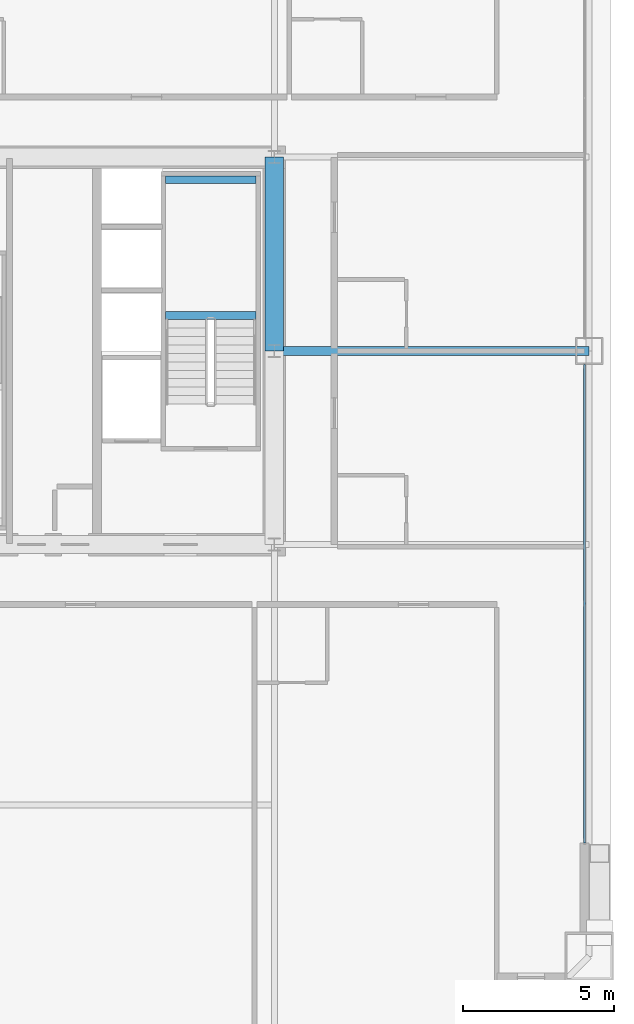
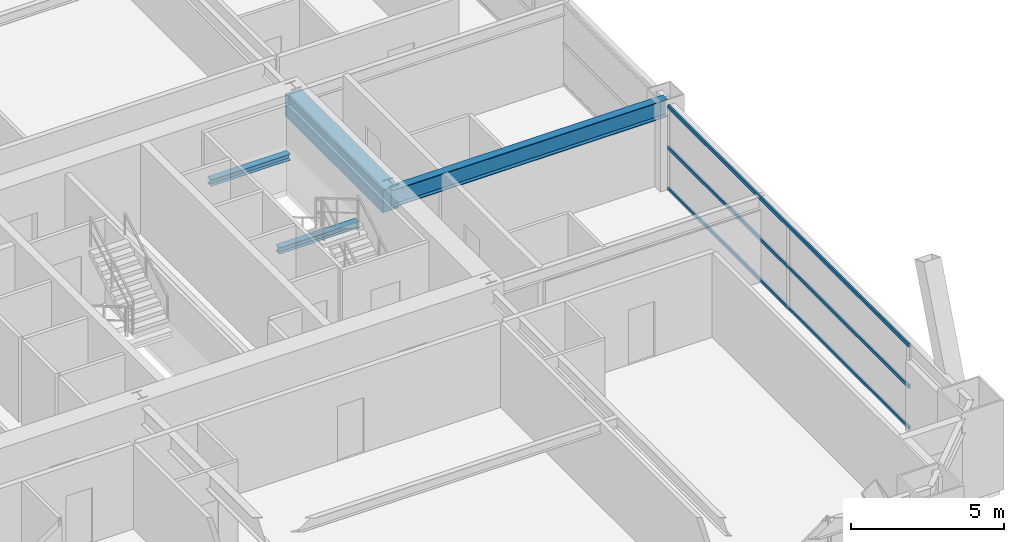
# One storey, part 19 of 41: 4 beams, 3 members, 1 element without a shape of its own.
"""IFC4 building model written with IfcOpenShell, lengths in metres."""

from ifc_helpers import new_model, si_unit, direction, frame, origin, origin_2d, place, context, subcontext, project, spatial, rectangle, hollow_rectangle, i_section, extrude, source, transform, mapped, material, layer, layer_set, material_profile, profile_set, type_object, element, aggregate, save


model = new_model("IFC4")

# Units and contexts
model_context = context("Model", 3, precision=1e-05, world=origin(), true_north=direction((0.0, 1.0)))
body_context = subcontext(model_context, "Body", "Model", "MODEL_VIEW")
ifc_project = project(units=[si_unit("LENGTHUNIT", "METRE"), si_unit("AREAUNIT", "SQUARE_METRE"), si_unit("VOLUMEUNIT", "CUBIC_METRE"), si_unit("PLANEANGLEUNIT", "RADIAN"), si_unit("MASSUNIT", "GRAM", prefix="KILO"), si_unit("THERMODYNAMICTEMPERATUREUNIT", "KELVIN"), si_unit("POWERUNIT", "WATT")], contexts=[model_context])

# Site, building, storey
site_placement = place(None, origin())
site = spatial("IfcSite", under=ifc_project, at=site_placement, CompositionType="ELEMENT")
building_placement = place(site_placement, origin())
building = spatial("IfcBuilding", under=site, at=building_placement, Name="Yuzanri Waterfront Tower", CompositionType="ELEMENT")
storey_placement = place(building_placement, frame((0.0, 0.0, 122.60009765625)))
storey = spatial("IfcBuildingStorey", under=building, at=storey_placement, Name="L32", CompositionType="ELEMENT", Elevation=122.60009765625)

# Beams
ifc_material_1 = material(Name="Concrete C60", Category="concrete")
ifc_material_profile_1 = material_profile(ifc_material_1, rectangle(XDim=0.60009765625, YDim=0.89990234375, at=origin_2d()), Name="RC 600x900")
ifc_profile_set_1 = profile_set([ifc_material_profile_1], Name="Concrete C60")
beam_type_1 = type_object("IfcBeamType", Name="Core Coupling Lintel Concrete C60 600x900", PredefinedType="LINTEL", material=ifc_profile_set_1)
shared_shape_1 = source(origin(), body_context, "Body", "SweptSolid", [
    extrude(rectangle(XDim=0.60009765625, YDim=0.89990234375, at=origin_2d()), origin(), (0.0, 0.0, 1.0), 6.39990234375),
])
beam_1_placement = place(storey_placement, frame((50.199951171875, 25.800048828125, 2.929931640625), z_axis=(0.0, 1.0, 0.0), x_axis=(-1.0, 0.0, 0.0)))
element("IfcBeam", 1, at=beam_1_placement, inside=storey, type_object=beam_type_1, Name="L32 Core Tie Beam CE2", PredefinedType="LINTEL", context=body_context, shape_type="MappedRepresentation", body=[
    mapped(shared_shape_1, transform((0.0, 0.0, 0.0), scale=1.0)),
])
ifc_material_2 = material(Name="Steel Q355B", Category="steel")
ifc_material_profile_2 = material_profile(ifc_material_2, i_section(OverallWidth=0.300048828125, OverallDepth=0.699951171875, WebThickness=0.012939453125, FlangeThickness=0.02392578125, at=origin_2d()), Name="HN 700x300x13x24")
ifc_profile_set_2 = profile_set([ifc_material_profile_2], Name="Steel Q355B")
beam_type_2 = type_object("IfcBeamType", Name="Primary Floor Girder Q355B HN 700x300", PredefinedType="BEAM", material=ifc_profile_set_2)
shared_shape_2 = source(origin(), body_context, "Body", "SweptSolid", [
    extrude(i_section(OverallWidth=0.300048828125, OverallDepth=0.699951171875, WebThickness=0.012939453125, FlangeThickness=0.02392578125, at=origin_2d()), origin(), (0.0, 0.0, 1.0), 10.400146484375),
])
beam_2_placement = place(storey_placement, frame((50.199951171875, 25.800048828125, 3.02978515625), z_axis=(1.0, 0.0, 0.0), x_axis=(0.0, 1.0, 0.0)))
element("IfcBeam", 2, at=beam_2_placement, inside=storey, type_object=beam_type_2, Name="L32 East Grid Girder", PredefinedType="BEAM", context=body_context, shape_type="MappedRepresentation", body=[
    mapped(shared_shape_2, transform((0.0, 0.0, 0.0), scale=1.0)),
])

# Curtain wall, members
ifc_material_3 = material(Name="Anodized Architectural Bronze", Category="metal")
ifc_layer = layer(ifc_material_3, 0.159912109375)
ifc_layer_set = layer_set([ifc_layer], Name="Anodized Architectural Bronze")
curtain_wall_type = type_object("IfcCurtainWallType", Name="Anodized Bronze Hotel Upper-Tier Solar-Control Unitized Curtain Wall 7800", PredefinedType="NOTDEFINED", material=ifc_layer_set)
curtain_wall_placement = place(storey_placement, origin())
curtain_wall = element("IfcCurtainWall", 3, at=curtain_wall_placement, inside=storey, type_object=curtain_wall_type, Name="L32 Curtain Wall CW-L32-EL", PredefinedType="NOTDEFINED")
ifc_material_4 = material(Name="Anodized Architectural Bronze", Category="metal")
ifc_material_profile_3 = material_profile(ifc_material_4, hollow_rectangle(XDim=0.070068359375, YDim=0.135009765625, WallThickness=0.00341796875, at=origin_2d()), Name="CWT 70x135")
ifc_profile_set_3 = profile_set([ifc_material_profile_3], Name="Anodized Architectural Bronze")
member_type = type_object("IfcMemberType", Name="Anodized Bronze Standard Curtain-Wall Transom 70x135", PredefinedType="USERDEFINED", material=ifc_profile_set_3)
shared_shape_3 = source(origin(), body_context, "Body", "SweptSolid", [
    extrude(hollow_rectangle(XDim=0.070068359375, YDim=0.135009765625, WallThickness=0.00341796875, at=origin_2d()), origin(), (0.0, 0.0, 1.0), 15.800048828125),
])
member_1_placement = place(storey_placement, frame((60.449951171875, 9.550048828125, 0.0498046875), z_axis=(0.0, 1.0, 0.0), x_axis=(-1.0, 0.0, 0.0)))
member_1 = element("IfcMember", 4, at=member_1_placement, type_object=member_type, Name="CW-L32-EL Transom 1", ObjectType="TRANSOM", PredefinedType="USERDEFINED", context=body_context, shape_type="MappedRepresentation", body=[
    mapped(shared_shape_3, transform((0.0, 0.0, 0.0), scale=1.0)),
])
member_2_placement = place(storey_placement, frame((60.449951171875, 9.550048828125, 1.68994140625), z_axis=(0.0, 1.0, 0.0), x_axis=(-1.0, 0.0, 0.0)))
member_2 = element("IfcMember", 5, at=member_2_placement, type_object=member_type, Name="CW-L32-EL Transom 2", ObjectType="TRANSOM", PredefinedType="USERDEFINED", context=body_context, shape_type="MappedRepresentation", body=[
    mapped(shared_shape_3, transform((0.0, 0.0, 0.0), scale=1.0)),
])
member_3_placement = place(storey_placement, frame((60.449951171875, 9.550048828125, 3.329833984375), z_axis=(0.0, 1.0, 0.0), x_axis=(-1.0, 0.0, 0.0)))
member_3 = element("IfcMember", 6, at=member_3_placement, type_object=member_type, Name="CW-L32-EL Transom 3", ObjectType="TRANSOM", PredefinedType="USERDEFINED", context=body_context, shape_type="MappedRepresentation", body=[
    mapped(shared_shape_3, transform((0.0, 0.0, 0.0), scale=1.0)),
])
aggregate(curtain_wall, [member_1, member_2, member_3])

# Beams
ifc_material_5 = material(Name="Steel Q355B", Category="steel")
ifc_material_profile_4 = material_profile(ifc_material_5, i_section(OverallWidth=0.25, OverallDepth=0.25, WebThickness=0.009033203125, FlangeThickness=0.013916015625, at=origin_2d()), Name="HW 250x250x9x14")
ifc_profile_set_4 = profile_set([ifc_material_profile_4], Name="Steel Q355B")
beam_type_3 = type_object("IfcBeamType", Name="Stair Landing Support Beam Q355B HW 250x250", PredefinedType="BEAM", material=ifc_profile_set_4)
shared_shape_4 = source(origin(), body_context, "Body", "SweptSolid", [
    extrude(i_section(OverallWidth=0.25, OverallDepth=0.25, WebThickness=0.009033203125, FlangeThickness=0.013916015625, at=origin_2d()), origin(), (0.0, 0.0, 1.0), 3.0),
])
for number, where, z_axis, x_axis, name in (
    (7, (46.60009765625, 26.969970703125, 1.474853515625), (1.0, 0.0, 0.0), (0.0, 1.0, 0.0), "L32 Stair Landing Support Beam ST-02-L32-L1-1"),
    (8, (46.60009765625, 31.449951171875, 1.474853515625), (1.0, 0.0, 0.0), (0.0, 1.0, 0.0), "L32 Stair Landing Support Beam ST-02-L32-L1-2"),
):
    element("IfcBeam", number, at=place(storey_placement, frame(where, z_axis=z_axis, x_axis=x_axis)), inside=storey, type_object=beam_type_3, Name=name, PredefinedType="BEAM", context=body_context, shape_type="MappedRepresentation", body=[
        mapped(shared_shape_4, transform((0.0, 0.0, 0.0), scale=1.0)),
    ])

save(model, "model.ifc")
